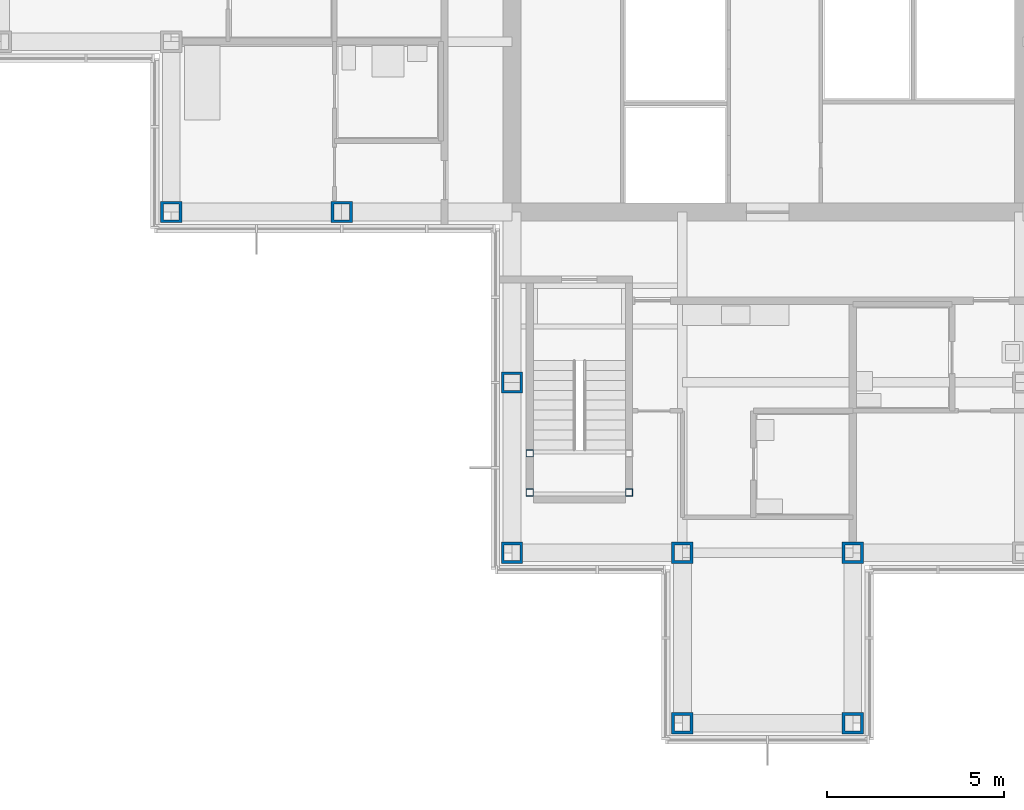
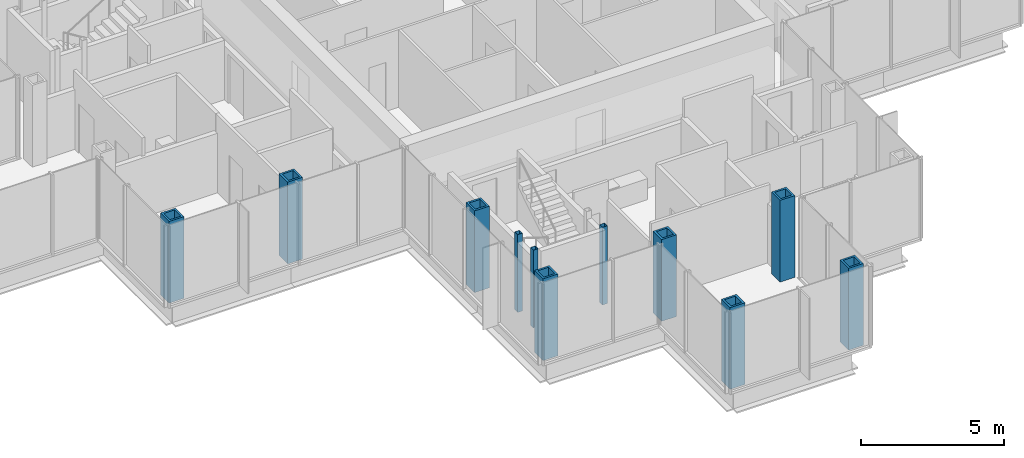
# One storey, part 1 of 17: 11 columns.
"""IFC4 building model written with IfcOpenShell, lengths in metres."""

import ifcopenshell
import ifcopenshell.guid

model = None  # the IFC model being written
_history = None  # IfcOwnerHistory: only IFC2X3 demands one
_inside = {}  # id of a spatial element -> (the spatial element, [elements in it])
_under = {}  # id of a project, library or spatial element -> (it, [spatial elements below it])
_declared = {}  # id of a project -> (the project, [libraries it declares])
_typed = {}  # id of a type object -> (the type object, [elements of that type])
_made_of = {}  # id of a material, layer set ... -> (it, [elements and type objects made of it])


def new_model(schema):
    """Start an empty IFC model of exactly this schema.

    Asked for "IFC4X3", IfcOpenShell would pick the latest addendum, in which some entities
    have other attributes; the version numbers below select the first issue.
    IFC2X3 requires an IfcOwnerHistory on every rooted entity: one is made here for all.
    """
    global model, _history
    if schema == "IFC4X3":
        model = ifcopenshell.file(schema_version=(4, 3, 0, 0))
    else:
        model = ifcopenshell.file(schema=schema)
    _inside.clear()
    _under.clear()
    _declared.clear()
    _typed.clear()
    _made_of.clear()
    _history = None
    if model.schema == "IFC2X3":
        org = make("IfcOrganization", Name="unknown")
        user = make(
            "IfcPersonAndOrganization",
            ThePerson=make("IfcPerson", FamilyName="unknown"),
            TheOrganization=org,
        )
        app = make(
            "IfcApplication",
            ApplicationDeveloper=org,
            Version="unknown",
            ApplicationFullName="unknown",
            ApplicationIdentifier="unknown",
        )
        _history = make(
            "IfcOwnerHistory",
            OwningUser=user,
            OwningApplication=app,
            ChangeAction="ADDED",
            CreationDate=0,
        )
    return model


def make(cls, **values):
    """One entity of the class cls with the attributes given. An attribute that is None is left unset."""
    return model.create_entity(
        cls, **{name: value for name, value in values.items() if value is not None}
    )


def rooted(cls, **values):
    """An entity with a GlobalId (a new one), such as an element, a storey or a relation."""
    return make(cls, GlobalId=ifcopenshell.guid.new(), OwnerHistory=_history, **values)


def si_unit(unit_type, name, prefix=None):
    """IfcSIUnit, for example si_unit("LENGTHUNIT", "METRE", prefix="MILLI")."""
    return make("IfcSIUnit", UnitType=unit_type, Prefix=prefix, Name=name)


def assignment(units):
    """IfcUnitAssignment: the units of a project."""
    return None if units is None else make("IfcUnitAssignment", Units=units)


def point(xyz):
    """IfcCartesianPoint."""
    return None if xyz is None else make("IfcCartesianPoint", Coordinates=xyz)


def direction(xyz):
    """IfcDirection."""
    return None if xyz is None else make("IfcDirection", DirectionRatios=xyz)


def frame(location, z_axis=None, x_axis=None):
    """IfcAxis2Placement3D, a coordinate frame: its origin and axes. An axis left out is left unset."""
    return make(
        "IfcAxis2Placement3D",
        Location=point(location),
        Axis=direction(z_axis),
        RefDirection=direction(x_axis),
    )


def frame_2d(location, x_axis=None):
    """IfcAxis2Placement2D, a coordinate frame in the plane: its origin and x axis."""
    return make(
        "IfcAxis2Placement2D", Location=point(location), RefDirection=direction(x_axis)
    )


def origin():
    """The frame at (0, 0, 0) with its axes left unset."""
    return frame((0.0, 0.0, 0.0))


def origin_2d():
    """The frame at (0, 0) in the plane with its x axis left unset."""
    return frame_2d((0.0, 0.0))


def place(relative_to, where):
    """IfcLocalPlacement: puts the frame where relative to a parent placement (None: the world)."""
    return make(
        "IfcLocalPlacement", PlacementRelTo=relative_to, RelativePlacement=where
    )


def context(
    kind, dimensions, precision=None, world=None, true_north=None, identifier=None
):
    """IfcGeometricRepresentationContext, for example the 3D "Model" context."""
    return make(
        "IfcGeometricRepresentationContext",
        ContextIdentifier=identifier,
        ContextType=kind,
        CoordinateSpaceDimension=dimensions,
        Precision=precision,
        WorldCoordinateSystem=world,
        TrueNorth=true_north,
    )


def subcontext(parent, identifier, kind, view, scale=None):
    """IfcGeometricRepresentationSubContext, for example "Body" below "Model"."""
    return make(
        "IfcGeometricRepresentationSubContext",
        ContextIdentifier=identifier,
        ContextType=kind,
        ParentContext=parent,
        TargetScale=scale,
        TargetView=view,
    )


def project(units=None, contexts=None):
    """IfcProject with its units and contexts."""
    return rooted(
        "IfcProject",
        Name="project",
        RepresentationContexts=contexts,
        UnitsInContext=assignment(units),
    )


def spatial(cls, under=None, at=None, **own):
    """A site, building, storey or space (cls), placed at a placement, below another one or the project."""
    s = rooted(cls, ObjectPlacement=at, **own)
    if under is not None:
        _under.setdefault(under.id(), (under, []))[1].append(s)
    return s


def profile(cls, at=None, kind="AREA", **sizes):
    """A parametric profile (cls). Its sizes go by their IFC names, for example OverallWidth=200.0."""
    return make(cls, ProfileType=kind, Position=at, **sizes)


def hollow_rectangle(**sizes):
    """IfcRectangleHollowProfileDef."""
    return profile("IfcRectangleHollowProfileDef", **sizes)


def extrude(swept, where, along, depth):
    """IfcExtrudedAreaSolid: the profile swept, set in the frame where, extruded along a direction by depth."""
    return make(
        "IfcExtrudedAreaSolid",
        SweptArea=swept,
        Position=where,
        ExtrudedDirection=direction(along),
        Depth=depth,
    )


def shape(context_of_items, identifier, shape_type, items):
    """IfcShapeRepresentation: the items that make up one representation, for example the "Body"."""
    return make(
        "IfcShapeRepresentation",
        ContextOfItems=context_of_items,
        RepresentationIdentifier=identifier,
        RepresentationType=shape_type,
        Items=items,
    )


def material(Name=None, Category=None):
    """IfcMaterial."""
    return make("IfcMaterial", Name=Name, Category=Category)


def material_profile(
    of_material, cross_section, Name=None, Category=None, Priority=None
):
    """IfcMaterialProfile: a cross section and its material."""
    return make(
        "IfcMaterialProfile",
        Name=Name,
        Material=of_material,
        Profile=cross_section,
        Priority=Priority,
        Category=Category,
    )


def profile_set(profiles, Name=None, composite=None):
    """IfcMaterialProfileSet."""
    return make(
        "IfcMaterialProfileSet",
        Name=Name,
        MaterialProfiles=profiles,
        CompositeProfile=composite,
    )


def made_of(thing, what):
    """Note that an element or type object is made of a material, layer set ...; save() writes the relation."""
    if what is not None:
        _made_of.setdefault(what.id(), (what, []))[1].append(thing)
    return thing


def type_object(cls, material=None, **own):
    """A type object (cls), such as IfcWallType, which elements share."""
    return made_of(rooted(cls, **own), material)


def element(
    cls,
    number,
    at=None,
    inside=None,
    cuts=None,
    type_object=None,
    material=None,
    context=None,
    identifier="Body",
    shape_type=None,
    held_by="IfcProductDefinitionShape",
    body=None,
    shapes=None,
    **own,
):
    """One element of the class cls, such as IfcWall. Its Tag is "e" and its number.

    at: its placement. inside: the storey or other place that contains it. cuts: it is an
    opening in that element (IfcRelVoidsElement). A single representation is given by context,
    identifier, shape_type and body (its items); several are given by shapes. held_by: the class
    of the entity that holds the representations. save() writes the other relations.
    """
    e = rooted(cls, Tag="e%d" % number, ObjectPlacement=at, **own)
    if body is not None:
        shapes = [shape(context, identifier, shape_type, body)]
    if shapes is not None:
        e.Representation = make(held_by, Representations=shapes)
    if inside is not None:
        _inside.setdefault(inside.id(), (inside, []))[1].append(e)
    if cuts is not None:
        rooted(
            "IfcRelVoidsElement", RelatingBuildingElement=cuts, RelatedOpeningElement=e
        )
    if type_object is not None:
        _typed.setdefault(type_object.id(), (type_object, []))[1].append(e)
    return made_of(e, material)


def aggregate(whole, parts):
    """IfcRelAggregates: a whole, such as a stair, and the parts it consists of."""
    return rooted("IfcRelAggregates", RelatingObject=whole, RelatedObjects=parts)


def save(model, path):
    """Write the relations noted so far, then the file.

    IfcRelAggregates (storeys below a building ...), IfcRelContainedInSpatialStructure (elements
    in a storey), IfcRelDefinesByType, IfcRelAssociatesMaterial and IfcRelDeclares: one each for
    every whole, place, type object, material and project.
    """
    for whole, parts in _under.values():
        aggregate(whole, parts)
    for where, things in _inside.values():
        rooted(
            "IfcRelContainedInSpatialStructure",
            RelatedElements=things,
            RelatingStructure=where,
        )
    for kind, things in _typed.values():
        rooted("IfcRelDefinesByType", RelatedObjects=things, RelatingType=kind)
    for what, things in _made_of.values():
        rooted("IfcRelAssociatesMaterial", RelatedObjects=things, RelatingMaterial=what)
    for by, libraries in _declared.values():
        rooted("IfcRelDeclares", RelatingContext=by, RelatedDefinitions=libraries)
    model.write(path)


model = new_model("IFC4")

# Units and contexts
model_context = context("Model", 3, precision=1e-05, world=origin(), true_north=direction((0.0, 1.0)))
body_context = subcontext(model_context, "Body", "Model", "MODEL_VIEW")
ifc_project = project(units=[si_unit("LENGTHUNIT", "METRE"), si_unit("AREAUNIT", "SQUARE_METRE"), si_unit("VOLUMEUNIT", "CUBIC_METRE"), si_unit("PLANEANGLEUNIT", "RADIAN"), si_unit("MASSUNIT", "GRAM", prefix="KILO")], contexts=[model_context])

# Site, building, storey
site_placement = place(None, origin())
site = spatial("IfcSite", under=ifc_project, at=site_placement, CompositionType="ELEMENT")
building_placement = place(site_placement, origin())
building = spatial("IfcBuilding", under=site, at=building_placement, Name="Kvirike Care Tower", CompositionType="ELEMENT")
storey_placement = place(building_placement, frame((0.0, 0.0, 144.5)))
storey = spatial("IfcBuildingStorey", under=building, at=storey_placement, Name="L39", CompositionType="ELEMENT", Elevation=144.5)

# Columns
ifc_material_1 = material(Name="Steel S460", Category="steel")
ifc_material_profile_1 = material_profile(ifc_material_1, hollow_rectangle(XDim=0.60009765625, YDim=0.60009765625, WallThickness=0.080078125, at=origin_2d()), Name="BX 600x600x80")
ifc_profile_set_1 = profile_set([ifc_material_profile_1], Name="Steel S460")
column_type_1 = type_object("IfcColumnType", Name="COLUMN BX 600x600x80", PredefinedType="COLUMN", material=ifc_profile_set_1)
for number, where, z_axis, x_axis, name in (
    (1, (4.800048828125, 28.800048828125, 0.0), (0.0, 0.0, 1.0), (0.0, 1.0, 0.0), "Column G4 L39"),
    (2, (9.60009765625, 28.800048828125, 0.0), (0.0, 0.0, 1.0), (0.0, 1.0, 0.0), "Column G5 L39"),
    (3, (14.39990234375, 19.199951171875, 0.0), (0.0, 0.0, 1.0), (0.0, 1.0, 0.0), "Column E6 L39"),
    (4, (14.39990234375, 24.0, 0.0), (0.0, 0.0, 1.0), (1.0, 0.0, 0.0), "Column F6 L39"),
    (5, (19.199951171875, 14.39990234375, 0.0), (0.0, 0.0, 1.0), (0.0, 1.0, 0.0), "Column D7 L39"),
    (6, (19.199951171875, 19.199951171875, 0.0), (0.0, 0.0, 1.0), (0.0, 1.0, 0.0), "Column E7 L39"),
    (7, (24.0, 14.39990234375, 0.0), (0.0, 0.0, 1.0), (0.0, 1.0, 0.0), "Column D8 L39"),
    (8, (24.0, 19.199951171875, 0.0), (0.0, 0.0, 1.0), (0.0, 1.0, 0.0), "Column E8 L39"),
):
    element("IfcColumn", number, at=place(storey_placement, frame(where, z_axis=z_axis, x_axis=x_axis)), inside=storey, type_object=column_type_1, Name=name, PredefinedType="COLUMN", context=body_context, shape_type="SweptSolid", body=[
        extrude(hollow_rectangle(XDim=0.60009765625, YDim=0.60009765625, WallThickness=0.080078125, at=origin_2d()), origin(), (0.0, 0.0, 1.0), 3.5),
    ])
ifc_material_2 = material(Name="Steel S460", Category="steel")
ifc_material_profile_2 = material_profile(ifc_material_2, hollow_rectangle(XDim=0.199951171875, YDim=0.199951171875, WallThickness=0.008056640625, at=origin_2d()), Name="SHS 200x200x8")
ifc_profile_set_2 = profile_set([ifc_material_profile_2], Name="Steel S460")
column_type_2 = type_object("IfcColumnType", Name="STAIR POST SHS 200x200x8", PredefinedType="COLUMN", material=ifc_profile_set_2)
for number, where, z_axis, x_axis, name in (
    (9, (14.89990234375, 20.89990234375, 0.0), (0.0, 0.0, 1.0), (1.0, 0.0, 0.0), "Stair 5 post 1 L39"),
    (10, (17.699951171875, 20.89990234375, 0.0), (0.0, 0.0, 1.0), (1.0, 0.0, 0.0), "Stair 5 post 2 L39"),
    (11, (14.89990234375, 22.0, 0.0), (0.0, 0.0, 1.0), (1.0, 0.0, 0.0), "Stair 5 post 3 L39"),
):
    element("IfcColumn", number, at=place(storey_placement, frame(where, z_axis=z_axis, x_axis=x_axis)), inside=storey, type_object=column_type_2, Name=name, PredefinedType="COLUMN", context=body_context, shape_type="SweptSolid", body=[
        extrude(hollow_rectangle(XDim=0.199951171875, YDim=0.199951171875, WallThickness=0.008056640625, at=origin_2d()), origin(), (0.0, 0.0, 1.0), 3.330078125),
    ])

save(model, "model.ifc")
